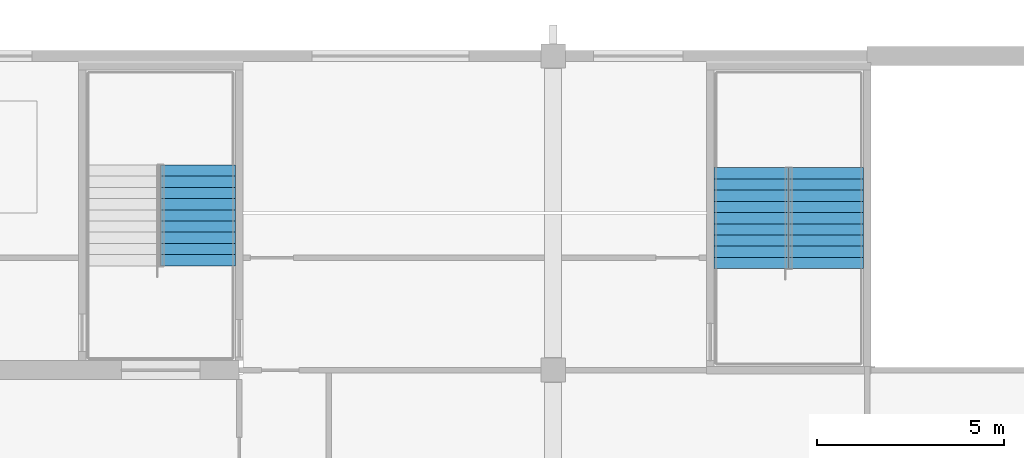
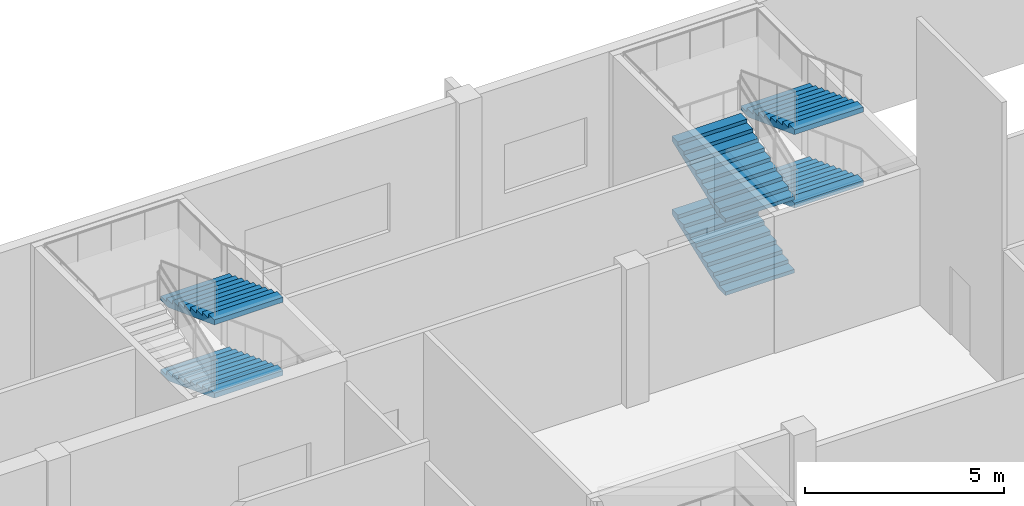
# One storey, part 43 of 64: 6 stair flights, 2 elements without a shape of their own.
"""IFC4 building model written with IfcOpenShell, lengths in metres."""

from ifc_helpers import new_model, si_unit, direction, frame, origin, place, context, subcontext, project, spatial, faceted_brep, material, type_object, element, aggregate, save


model = new_model("IFC4")

# Units and contexts
model_context = context("Model", 3, precision=1e-05, world=origin(), true_north=direction((0.0, 1.0)))
body_context = subcontext(model_context, "Body", "Model", "MODEL_VIEW")
ifc_project = project(units=[si_unit("LENGTHUNIT", "METRE"), si_unit("AREAUNIT", "SQUARE_METRE"), si_unit("VOLUMEUNIT", "CUBIC_METRE"), si_unit("PLANEANGLEUNIT", "RADIAN"), si_unit("MASSUNIT", "GRAM", prefix="KILO")], contexts=[model_context])

# Site, building, storey
site_placement = place(None, origin())
site = spatial("IfcSite", under=ifc_project, at=site_placement, CompositionType="ELEMENT")
building_placement = place(site_placement, origin())
building = spatial("IfcBuilding", under=site, at=building_placement, Name="Rulbaag Community and Learning Centre", CompositionType="ELEMENT")
storey_placement = place(building_placement, frame((0.0, 0.0, 5.39990234375)))
storey = spatial("IfcBuildingStorey", under=building, at=storey_placement, Name="L01", CompositionType="ELEMENT", Elevation=5.39990234375)

# Stair, stair flights
ifc_material = material(Name="Concrete M40", Category="concrete")
stair_type = type_object("IfcStairType", Name="ST-2000 STAIR 2000 WIDE", PredefinedType="HALF_TURN_STAIR", material=ifc_material)
stair_1_placement = place(storey_placement, origin())
stair_1 = element("IfcStair", 1, at=stair_1_placement, inside=storey, type_object=stair_type, Name="Stair ST-H0 L01", PredefinedType="HALF_TURN_STAIR")
stair_flight_type = type_object("IfcStairFlightType", Name="FL-2000 FLIGHT 2000 WIDE Concrete M40", PredefinedType="STRAIGHT", material=ifc_material)
stair_flight_1_placement = place(storey_placement, frame((24.10009765625, 47.487548828125, 1.125), z_axis=(0.0, 0.0, 1.0), x_axis=(0.0, -1.0, 0.0)))
stair_flight_1 = element("IfcStairFlight", 2, at=stair_flight_1_placement, type_object=stair_flight_type, Name="ST-H0 flight 2", NumberOfRisers=10, NumberOfTreads=9, PredefinedType="STRAIGHT", RiserHeight=0.1125, TreadLength=0.3, context=body_context, shape_type="Brep", body=[
    faceted_brep([(0.3984375, -1.0, 0.0), (2.699951171875, -1.0, 0.863037109375), (2.699951171875, -1.0, 1.012451171875), (2.39990234375, -1.0, 1.012451171875), (2.39990234375, -1.0, 0.89990234375), (2.10009765625, -1.0, 0.89990234375), (2.10009765625, -1.0, 0.78759765625), (1.800048828125, -1.0, 0.78759765625), (1.800048828125, -1.0, 0.675048828125), (1.5, -1.0, 0.675048828125), (1.5, -1.0, 0.5625), (1.199951171875, -1.0, 0.5625), (1.199951171875, -1.0, 0.449951171875), (0.89990234375, -1.0, 0.449951171875), (0.89990234375, -1.0, 0.33740234375), (0.60009765625, -1.0, 0.33740234375), (0.60009765625, -1.0, 0.22509765625), (0.300048828125, -1.0, 0.22509765625), (0.300048828125, -1.0, 0.112548828125), (0.0, -1.0, 0.112548828125), (0.0, -1.0, 0.0), (0.0, 1.0, 0.0), (0.0, 1.0, 0.112548828125), (0.300048828125, 1.0, 0.112548828125), (0.300048828125, 1.0, 0.22509765625), (0.60009765625, 1.0, 0.22509765625), (0.60009765625, 1.0, 0.33740234375), (0.89990234375, 1.0, 0.33740234375), (0.89990234375, 1.0, 0.449951171875), (1.199951171875, 1.0, 0.449951171875), (1.199951171875, 1.0, 0.5625), (1.5, 1.0, 0.5625), (1.5, 1.0, 0.675048828125), (1.800048828125, 1.0, 0.675048828125), (1.800048828125, 1.0, 0.78759765625), (2.10009765625, 1.0, 0.78759765625), (2.10009765625, 1.0, 0.89990234375), (2.39990234375, 1.0, 0.89990234375), (2.39990234375, 1.0, 1.012451171875), (2.699951171875, 1.0, 1.012451171875), (2.699951171875, 1.0, 0.863037109375), (0.3984375, 1.0, 0.0), (0.0, -0.333251953125, 0.112548828125), (0.0, -0.333251953125, 0.0), (0.0, 0.333251953125, 0.112548828125), (0.0, 0.333251953125, 0.0), (0.300048828125, -0.333251953125, 0.112548828125), (0.300048828125, 0.333251953125, 0.112548828125), (0.300048828125, -0.333251953125, 0.22509765625), (0.300048828125, 0.333251953125, 0.22509765625), (0.60009765625, -0.333251953125, 0.22509765625), (0.60009765625, 0.333251953125, 0.22509765625), (0.60009765625, -0.333251953125, 0.33740234375), (0.60009765625, 0.333251953125, 0.33740234375), (0.89990234375, -0.333251953125, 0.33740234375), (0.89990234375, 0.333251953125, 0.33740234375), (0.89990234375, -0.333251953125, 0.449951171875), (0.89990234375, 0.333251953125, 0.449951171875), (1.199951171875, -0.333251953125, 0.449951171875), (1.199951171875, 0.333251953125, 0.449951171875), (1.199951171875, -0.333251953125, 0.5625), (1.199951171875, 0.333251953125, 0.5625), (1.5, -0.333251953125, 0.5625), (1.5, 0.333251953125, 0.5625), (1.5, -0.333251953125, 0.675048828125), (1.5, 0.333251953125, 0.675048828125), (1.800048828125, -0.333251953125, 0.675048828125), (1.800048828125, 0.333251953125, 0.675048828125), (1.800048828125, -0.333251953125, 0.78759765625), (1.800048828125, 0.333251953125, 0.78759765625), (2.10009765625, -0.333251953125, 0.78759765625), (2.10009765625, 0.333251953125, 0.78759765625), (2.10009765625, -0.333251953125, 0.89990234375), (2.10009765625, 0.333251953125, 0.89990234375), (2.39990234375, -0.333251953125, 0.89990234375), (2.39990234375, 0.333251953125, 0.89990234375), (2.39990234375, -0.333251953125, 1.012451171875), (2.39990234375, 0.333251953125, 1.012451171875), (2.699951171875, -0.333251953125, 1.012451171875), (2.699951171875, 0.333251953125, 1.012451171875), (2.699951171875, -0.333251953125, 0.863037109375), (2.699951171875, 0.333251953125, 0.863037109375), (0.3984375, -0.333251953125, 0.0), (0.3984375, 0.333251953125, 0.0)], [[[0, 1, 2, 3, 4, 5, 6, 7, 8, 9, 10, 11, 12, 13, 14, 15, 16, 17, 18, 19, 20]], [[21, 22, 23, 24, 25, 26, 27, 28, 29, 30, 31, 32, 33, 34, 35, 36, 37, 38, 39, 40, 41]], [[20, 19, 42, 43]], [[43, 42, 44, 45]], [[45, 44, 22, 21]], [[19, 18, 46, 42]], [[42, 46, 47, 44]], [[44, 47, 23, 22]], [[18, 17, 48, 46]], [[46, 48, 49, 47]], [[47, 49, 24, 23]], [[17, 16, 50, 48]], [[48, 50, 51, 49]], [[49, 51, 25, 24]], [[16, 15, 52, 50]], [[50, 52, 53, 51]], [[51, 53, 26, 25]], [[15, 14, 54, 52]], [[52, 54, 55, 53]], [[53, 55, 27, 26]], [[14, 13, 56, 54]], [[54, 56, 57, 55]], [[55, 57, 28, 27]], [[13, 12, 58, 56]], [[56, 58, 59, 57]], [[57, 59, 29, 28]], [[12, 11, 60, 58]], [[58, 60, 61, 59]], [[59, 61, 30, 29]], [[11, 10, 62, 60]], [[60, 62, 63, 61]], [[61, 63, 31, 30]], [[10, 9, 64, 62]], [[62, 64, 65, 63]], [[63, 65, 32, 31]], [[9, 8, 66, 64]], [[64, 66, 67, 65]], [[65, 67, 33, 32]], [[8, 7, 68, 66]], [[66, 68, 69, 67]], [[67, 69, 34, 33]], [[7, 6, 70, 68]], [[68, 70, 71, 69]], [[69, 71, 35, 34]], [[6, 5, 72, 70]], [[70, 72, 73, 71]], [[71, 73, 36, 35]], [[5, 4, 74, 72]], [[72, 74, 75, 73]], [[73, 75, 37, 36]], [[4, 3, 76, 74]], [[74, 76, 77, 75]], [[75, 77, 38, 37]], [[3, 2, 78, 76]], [[76, 78, 79, 77]], [[77, 79, 39, 38]], [[2, 1, 80, 78]], [[78, 80, 81, 79]], [[79, 81, 40, 39]], [[1, 0, 82, 80]], [[80, 82, 83, 81]], [[81, 83, 41, 40]], [[0, 20, 43, 82]], [[82, 43, 45, 83]], [[83, 45, 21, 41]]]),
])
stair_flight_2_placement = place(storey_placement, frame((24.10009765625, 47.487548828125, 3.375), z_axis=(0.0, 0.0, 1.0), x_axis=(0.0, -1.0, 0.0)))
stair_flight_2 = element("IfcStairFlight", 3, at=stair_flight_2_placement, type_object=stair_flight_type, Name="ST-H0 flight 4", NumberOfRisers=10, NumberOfTreads=9, PredefinedType="STRAIGHT", RiserHeight=0.1125, TreadLength=0.3, context=body_context, shape_type="Brep", body=[
    faceted_brep([(0.3984375, -1.0, 0.0), (2.699951171875, -1.0, 0.863037109375), (2.699951171875, -1.0, 1.012451171875), (2.39990234375, -1.0, 1.012451171875), (2.39990234375, -1.0, 0.89990234375), (2.10009765625, -1.0, 0.89990234375), (2.10009765625, -1.0, 0.78759765625), (1.800048828125, -1.0, 0.78759765625), (1.800048828125, -1.0, 0.675048828125), (1.5, -1.0, 0.675048828125), (1.5, -1.0, 0.5625), (1.199951171875, -1.0, 0.5625), (1.199951171875, -1.0, 0.449951171875), (0.89990234375, -1.0, 0.449951171875), (0.89990234375, -1.0, 0.33740234375), (0.60009765625, -1.0, 0.33740234375), (0.60009765625, -1.0, 0.22509765625), (0.300048828125, -1.0, 0.22509765625), (0.300048828125, -1.0, 0.112548828125), (0.0, -1.0, 0.112548828125), (0.0, -1.0, 0.0), (0.0, 1.0, 0.0), (0.0, 1.0, 0.112548828125), (0.300048828125, 1.0, 0.112548828125), (0.300048828125, 1.0, 0.22509765625), (0.60009765625, 1.0, 0.22509765625), (0.60009765625, 1.0, 0.33740234375), (0.89990234375, 1.0, 0.33740234375), (0.89990234375, 1.0, 0.449951171875), (1.199951171875, 1.0, 0.449951171875), (1.199951171875, 1.0, 0.5625), (1.5, 1.0, 0.5625), (1.5, 1.0, 0.675048828125), (1.800048828125, 1.0, 0.675048828125), (1.800048828125, 1.0, 0.78759765625), (2.10009765625, 1.0, 0.78759765625), (2.10009765625, 1.0, 0.89990234375), (2.39990234375, 1.0, 0.89990234375), (2.39990234375, 1.0, 1.012451171875), (2.699951171875, 1.0, 1.012451171875), (2.699951171875, 1.0, 0.863037109375), (0.3984375, 1.0, 0.0), (0.0, -0.333251953125, 0.112548828125), (0.0, -0.333251953125, 0.0), (0.0, 0.333251953125, 0.112548828125), (0.0, 0.333251953125, 0.0), (0.300048828125, -0.333251953125, 0.112548828125), (0.300048828125, 0.333251953125, 0.112548828125), (0.300048828125, -0.333251953125, 0.22509765625), (0.300048828125, 0.333251953125, 0.22509765625), (0.60009765625, -0.333251953125, 0.22509765625), (0.60009765625, 0.333251953125, 0.22509765625), (0.60009765625, -0.333251953125, 0.33740234375), (0.60009765625, 0.333251953125, 0.33740234375), (0.89990234375, -0.333251953125, 0.33740234375), (0.89990234375, 0.333251953125, 0.33740234375), (0.89990234375, -0.333251953125, 0.449951171875), (0.89990234375, 0.333251953125, 0.449951171875), (1.199951171875, -0.333251953125, 0.449951171875), (1.199951171875, 0.333251953125, 0.449951171875), (1.199951171875, -0.333251953125, 0.5625), (1.199951171875, 0.333251953125, 0.5625), (1.5, -0.333251953125, 0.5625), (1.5, 0.333251953125, 0.5625), (1.5, -0.333251953125, 0.675048828125), (1.5, 0.333251953125, 0.675048828125), (1.800048828125, -0.333251953125, 0.675048828125), (1.800048828125, 0.333251953125, 0.675048828125), (1.800048828125, -0.333251953125, 0.78759765625), (1.800048828125, 0.333251953125, 0.78759765625), (2.10009765625, -0.333251953125, 0.78759765625), (2.10009765625, 0.333251953125, 0.78759765625), (2.10009765625, -0.333251953125, 0.89990234375), (2.10009765625, 0.333251953125, 0.89990234375), (2.39990234375, -0.333251953125, 0.89990234375), (2.39990234375, 0.333251953125, 0.89990234375), (2.39990234375, -0.333251953125, 1.012451171875), (2.39990234375, 0.333251953125, 1.012451171875), (2.699951171875, -0.333251953125, 1.012451171875), (2.699951171875, 0.333251953125, 1.012451171875), (2.699951171875, -0.333251953125, 0.863037109375), (2.699951171875, 0.333251953125, 0.863037109375), (0.3984375, -0.333251953125, 0.0), (0.3984375, 0.333251953125, 0.0)], [[[0, 1, 2, 3, 4, 5, 6, 7, 8, 9, 10, 11, 12, 13, 14, 15, 16, 17, 18, 19, 20]], [[21, 22, 23, 24, 25, 26, 27, 28, 29, 30, 31, 32, 33, 34, 35, 36, 37, 38, 39, 40, 41]], [[20, 19, 42, 43]], [[43, 42, 44, 45]], [[45, 44, 22, 21]], [[19, 18, 46, 42]], [[42, 46, 47, 44]], [[44, 47, 23, 22]], [[18, 17, 48, 46]], [[46, 48, 49, 47]], [[47, 49, 24, 23]], [[17, 16, 50, 48]], [[48, 50, 51, 49]], [[49, 51, 25, 24]], [[16, 15, 52, 50]], [[50, 52, 53, 51]], [[51, 53, 26, 25]], [[15, 14, 54, 52]], [[52, 54, 55, 53]], [[53, 55, 27, 26]], [[14, 13, 56, 54]], [[54, 56, 57, 55]], [[55, 57, 28, 27]], [[13, 12, 58, 56]], [[56, 58, 59, 57]], [[57, 59, 29, 28]], [[12, 11, 60, 58]], [[58, 60, 61, 59]], [[59, 61, 30, 29]], [[11, 10, 62, 60]], [[60, 62, 63, 61]], [[61, 63, 31, 30]], [[10, 9, 64, 62]], [[62, 64, 65, 63]], [[63, 65, 32, 31]], [[9, 8, 66, 64]], [[64, 66, 67, 65]], [[65, 67, 33, 32]], [[8, 7, 68, 66]], [[66, 68, 69, 67]], [[67, 69, 34, 33]], [[7, 6, 70, 68]], [[68, 70, 71, 69]], [[69, 71, 35, 34]], [[6, 5, 72, 70]], [[70, 72, 73, 71]], [[71, 73, 36, 35]], [[5, 4, 74, 72]], [[72, 74, 75, 73]], [[73, 75, 37, 36]], [[4, 3, 76, 74]], [[74, 76, 77, 75]], [[75, 77, 38, 37]], [[3, 2, 78, 76]], [[76, 78, 79, 77]], [[77, 79, 39, 38]], [[2, 1, 80, 78]], [[78, 80, 81, 79]], [[79, 81, 40, 39]], [[1, 0, 82, 80]], [[80, 82, 83, 81]], [[81, 83, 41, 40]], [[0, 20, 43, 82]], [[82, 43, 45, 83]], [[83, 45, 21, 41]]]),
])
aggregate(stair_1, [stair_flight_1, stair_flight_2])

stair_2_placement = place(storey_placement, origin())
stair_2 = element("IfcStair", 4, at=stair_2_placement, inside=storey, type_object=stair_type, Name="Stair ST-H5 L01", PredefinedType="HALF_TURN_STAIR")
stair_flight_3_placement = place(storey_placement, frame((38.89990234375, 44.71240234375, 0.0), z_axis=(0.0, 0.0, 1.0), x_axis=(0.0, 1.0, 0.0)))
stair_flight_3 = element("IfcStairFlight", 5, at=stair_flight_3_placement, type_object=stair_flight_type, Name="ST-H5 flight 1", NumberOfRisers=10, NumberOfTreads=9, PredefinedType="STRAIGHT", RiserHeight=0.1125, TreadLength=0.3, context=body_context, shape_type="Brep", body=[
    faceted_brep([(0.3984375, -1.0, 0.0), (2.699951171875, -1.0, 0.863037109375), (2.699951171875, -1.0, 1.012451171875), (2.39990234375, -1.0, 1.012451171875), (2.39990234375, -1.0, 0.89990234375), (2.10009765625, -1.0, 0.89990234375), (2.10009765625, -1.0, 0.78759765625), (1.800048828125, -1.0, 0.78759765625), (1.800048828125, -1.0, 0.675048828125), (1.5, -1.0, 0.675048828125), (1.5, -1.0, 0.5625), (1.199951171875, -1.0, 0.5625), (1.199951171875, -1.0, 0.449951171875), (0.89990234375, -1.0, 0.449951171875), (0.89990234375, -1.0, 0.33740234375), (0.60009765625, -1.0, 0.33740234375), (0.60009765625, -1.0, 0.22509765625), (0.300048828125, -1.0, 0.22509765625), (0.300048828125, -1.0, 0.112548828125), (0.0, -1.0, 0.112548828125), (0.0, -1.0, 0.0), (0.0, 1.0, 0.0), (0.0, 1.0, 0.112548828125), (0.300048828125, 1.0, 0.112548828125), (0.300048828125, 1.0, 0.22509765625), (0.60009765625, 1.0, 0.22509765625), (0.60009765625, 1.0, 0.33740234375), (0.89990234375, 1.0, 0.33740234375), (0.89990234375, 1.0, 0.449951171875), (1.199951171875, 1.0, 0.449951171875), (1.199951171875, 1.0, 0.5625), (1.5, 1.0, 0.5625), (1.5, 1.0, 0.675048828125), (1.800048828125, 1.0, 0.675048828125), (1.800048828125, 1.0, 0.78759765625), (2.10009765625, 1.0, 0.78759765625), (2.10009765625, 1.0, 0.89990234375), (2.39990234375, 1.0, 0.89990234375), (2.39990234375, 1.0, 1.012451171875), (2.699951171875, 1.0, 1.012451171875), (2.699951171875, 1.0, 0.863037109375), (0.3984375, 1.0, 0.0), (0.0, -0.333251953125, 0.112548828125), (0.0, -0.333251953125, 0.0), (0.0, 0.333251953125, 0.112548828125), (0.0, 0.333251953125, 0.0), (0.300048828125, -0.333251953125, 0.112548828125), (0.300048828125, 0.333251953125, 0.112548828125), (0.300048828125, -0.333251953125, 0.22509765625), (0.300048828125, 0.333251953125, 0.22509765625), (0.60009765625, -0.333251953125, 0.22509765625), (0.60009765625, 0.333251953125, 0.22509765625), (0.60009765625, -0.333251953125, 0.33740234375), (0.60009765625, 0.333251953125, 0.33740234375), (0.89990234375, -0.333251953125, 0.33740234375), (0.89990234375, 0.333251953125, 0.33740234375), (0.89990234375, -0.333251953125, 0.449951171875), (0.89990234375, 0.333251953125, 0.449951171875), (1.199951171875, -0.333251953125, 0.449951171875), (1.199951171875, 0.333251953125, 0.449951171875), (1.199951171875, -0.333251953125, 0.5625), (1.199951171875, 0.333251953125, 0.5625), (1.5, -0.333251953125, 0.5625), (1.5, 0.333251953125, 0.5625), (1.5, -0.333251953125, 0.675048828125), (1.5, 0.333251953125, 0.675048828125), (1.800048828125, -0.333251953125, 0.675048828125), (1.800048828125, 0.333251953125, 0.675048828125), (1.800048828125, -0.333251953125, 0.78759765625), (1.800048828125, 0.333251953125, 0.78759765625), (2.10009765625, -0.333251953125, 0.78759765625), (2.10009765625, 0.333251953125, 0.78759765625), (2.10009765625, -0.333251953125, 0.89990234375), (2.10009765625, 0.333251953125, 0.89990234375), (2.39990234375, -0.333251953125, 0.89990234375), (2.39990234375, 0.333251953125, 0.89990234375), (2.39990234375, -0.333251953125, 1.012451171875), (2.39990234375, 0.333251953125, 1.012451171875), (2.699951171875, -0.333251953125, 1.012451171875), (2.699951171875, 0.333251953125, 1.012451171875), (2.699951171875, -0.333251953125, 0.863037109375), (2.699951171875, 0.333251953125, 0.863037109375), (0.3984375, -0.333251953125, 0.0), (0.3984375, 0.333251953125, 0.0)], [[[0, 1, 2, 3, 4, 5, 6, 7, 8, 9, 10, 11, 12, 13, 14, 15, 16, 17, 18, 19, 20]], [[21, 22, 23, 24, 25, 26, 27, 28, 29, 30, 31, 32, 33, 34, 35, 36, 37, 38, 39, 40, 41]], [[20, 19, 42, 43]], [[43, 42, 44, 45]], [[45, 44, 22, 21]], [[19, 18, 46, 42]], [[42, 46, 47, 44]], [[44, 47, 23, 22]], [[18, 17, 48, 46]], [[46, 48, 49, 47]], [[47, 49, 24, 23]], [[17, 16, 50, 48]], [[48, 50, 51, 49]], [[49, 51, 25, 24]], [[16, 15, 52, 50]], [[50, 52, 53, 51]], [[51, 53, 26, 25]], [[15, 14, 54, 52]], [[52, 54, 55, 53]], [[53, 55, 27, 26]], [[14, 13, 56, 54]], [[54, 56, 57, 55]], [[55, 57, 28, 27]], [[13, 12, 58, 56]], [[56, 58, 59, 57]], [[57, 59, 29, 28]], [[12, 11, 60, 58]], [[58, 60, 61, 59]], [[59, 61, 30, 29]], [[11, 10, 62, 60]], [[60, 62, 63, 61]], [[61, 63, 31, 30]], [[10, 9, 64, 62]], [[62, 64, 65, 63]], [[63, 65, 32, 31]], [[9, 8, 66, 64]], [[64, 66, 67, 65]], [[65, 67, 33, 32]], [[8, 7, 68, 66]], [[66, 68, 69, 67]], [[67, 69, 34, 33]], [[7, 6, 70, 68]], [[68, 70, 71, 69]], [[69, 71, 35, 34]], [[6, 5, 72, 70]], [[70, 72, 73, 71]], [[71, 73, 36, 35]], [[5, 4, 74, 72]], [[72, 74, 75, 73]], [[73, 75, 37, 36]], [[4, 3, 76, 74]], [[74, 76, 77, 75]], [[75, 77, 38, 37]], [[3, 2, 78, 76]], [[76, 78, 79, 77]], [[77, 79, 39, 38]], [[2, 1, 80, 78]], [[78, 80, 81, 79]], [[79, 81, 40, 39]], [[1, 0, 82, 80]], [[80, 82, 83, 81]], [[81, 83, 41, 40]], [[0, 20, 43, 82]], [[82, 43, 45, 83]], [[83, 45, 21, 41]]]),
])
stair_flight_4_placement = place(storey_placement, frame((40.89990234375, 47.41259765625, 1.125), z_axis=(0.0, 0.0, 1.0), x_axis=(0.0, -1.0, 0.0)))
stair_flight_4 = element("IfcStairFlight", 6, at=stair_flight_4_placement, type_object=stair_flight_type, Name="ST-H5 flight 2", NumberOfRisers=10, NumberOfTreads=9, PredefinedType="STRAIGHT", RiserHeight=0.1125, TreadLength=0.3, context=body_context, shape_type="Brep", body=[
    faceted_brep([(0.3984375, -1.0, 0.0), (2.699951171875, -1.0, 0.863037109375), (2.699951171875, -1.0, 1.012451171875), (2.39990234375, -1.0, 1.012451171875), (2.39990234375, -1.0, 0.89990234375), (2.10009765625, -1.0, 0.89990234375), (2.10009765625, -1.0, 0.78759765625), (1.800048828125, -1.0, 0.78759765625), (1.800048828125, -1.0, 0.675048828125), (1.5, -1.0, 0.675048828125), (1.5, -1.0, 0.5625), (1.199951171875, -1.0, 0.5625), (1.199951171875, -1.0, 0.449951171875), (0.89990234375, -1.0, 0.449951171875), (0.89990234375, -1.0, 0.33740234375), (0.60009765625, -1.0, 0.33740234375), (0.60009765625, -1.0, 0.22509765625), (0.300048828125, -1.0, 0.22509765625), (0.300048828125, -1.0, 0.112548828125), (0.0, -1.0, 0.112548828125), (0.0, -1.0, 0.0), (0.0, 1.0, 0.0), (0.0, 1.0, 0.112548828125), (0.300048828125, 1.0, 0.112548828125), (0.300048828125, 1.0, 0.22509765625), (0.60009765625, 1.0, 0.22509765625), (0.60009765625, 1.0, 0.33740234375), (0.89990234375, 1.0, 0.33740234375), (0.89990234375, 1.0, 0.449951171875), (1.199951171875, 1.0, 0.449951171875), (1.199951171875, 1.0, 0.5625), (1.5, 1.0, 0.5625), (1.5, 1.0, 0.675048828125), (1.800048828125, 1.0, 0.675048828125), (1.800048828125, 1.0, 0.78759765625), (2.10009765625, 1.0, 0.78759765625), (2.10009765625, 1.0, 0.89990234375), (2.39990234375, 1.0, 0.89990234375), (2.39990234375, 1.0, 1.012451171875), (2.699951171875, 1.0, 1.012451171875), (2.699951171875, 1.0, 0.863037109375), (0.3984375, 1.0, 0.0), (0.0, -0.333251953125, 0.112548828125), (0.0, -0.333251953125, 0.0), (0.0, 0.333251953125, 0.112548828125), (0.0, 0.333251953125, 0.0), (0.300048828125, -0.333251953125, 0.112548828125), (0.300048828125, 0.333251953125, 0.112548828125), (0.300048828125, -0.333251953125, 0.22509765625), (0.300048828125, 0.333251953125, 0.22509765625), (0.60009765625, -0.333251953125, 0.22509765625), (0.60009765625, 0.333251953125, 0.22509765625), (0.60009765625, -0.333251953125, 0.33740234375), (0.60009765625, 0.333251953125, 0.33740234375), (0.89990234375, -0.333251953125, 0.33740234375), (0.89990234375, 0.333251953125, 0.33740234375), (0.89990234375, -0.333251953125, 0.449951171875), (0.89990234375, 0.333251953125, 0.449951171875), (1.199951171875, -0.333251953125, 0.449951171875), (1.199951171875, 0.333251953125, 0.449951171875), (1.199951171875, -0.333251953125, 0.5625), (1.199951171875, 0.333251953125, 0.5625), (1.5, -0.333251953125, 0.5625), (1.5, 0.333251953125, 0.5625), (1.5, -0.333251953125, 0.675048828125), (1.5, 0.333251953125, 0.675048828125), (1.800048828125, -0.333251953125, 0.675048828125), (1.800048828125, 0.333251953125, 0.675048828125), (1.800048828125, -0.333251953125, 0.78759765625), (1.800048828125, 0.333251953125, 0.78759765625), (2.10009765625, -0.333251953125, 0.78759765625), (2.10009765625, 0.333251953125, 0.78759765625), (2.10009765625, -0.333251953125, 0.89990234375), (2.10009765625, 0.333251953125, 0.89990234375), (2.39990234375, -0.333251953125, 0.89990234375), (2.39990234375, 0.333251953125, 0.89990234375), (2.39990234375, -0.333251953125, 1.012451171875), (2.39990234375, 0.333251953125, 1.012451171875), (2.699951171875, -0.333251953125, 1.012451171875), (2.699951171875, 0.333251953125, 1.012451171875), (2.699951171875, -0.333251953125, 0.863037109375), (2.699951171875, 0.333251953125, 0.863037109375), (0.3984375, -0.333251953125, 0.0), (0.3984375, 0.333251953125, 0.0)], [[[0, 1, 2, 3, 4, 5, 6, 7, 8, 9, 10, 11, 12, 13, 14, 15, 16, 17, 18, 19, 20]], [[21, 22, 23, 24, 25, 26, 27, 28, 29, 30, 31, 32, 33, 34, 35, 36, 37, 38, 39, 40, 41]], [[20, 19, 42, 43]], [[43, 42, 44, 45]], [[45, 44, 22, 21]], [[19, 18, 46, 42]], [[42, 46, 47, 44]], [[44, 47, 23, 22]], [[18, 17, 48, 46]], [[46, 48, 49, 47]], [[47, 49, 24, 23]], [[17, 16, 50, 48]], [[48, 50, 51, 49]], [[49, 51, 25, 24]], [[16, 15, 52, 50]], [[50, 52, 53, 51]], [[51, 53, 26, 25]], [[15, 14, 54, 52]], [[52, 54, 55, 53]], [[53, 55, 27, 26]], [[14, 13, 56, 54]], [[54, 56, 57, 55]], [[55, 57, 28, 27]], [[13, 12, 58, 56]], [[56, 58, 59, 57]], [[57, 59, 29, 28]], [[12, 11, 60, 58]], [[58, 60, 61, 59]], [[59, 61, 30, 29]], [[11, 10, 62, 60]], [[60, 62, 63, 61]], [[61, 63, 31, 30]], [[10, 9, 64, 62]], [[62, 64, 65, 63]], [[63, 65, 32, 31]], [[9, 8, 66, 64]], [[64, 66, 67, 65]], [[65, 67, 33, 32]], [[8, 7, 68, 66]], [[66, 68, 69, 67]], [[67, 69, 34, 33]], [[7, 6, 70, 68]], [[68, 70, 71, 69]], [[69, 71, 35, 34]], [[6, 5, 72, 70]], [[70, 72, 73, 71]], [[71, 73, 36, 35]], [[5, 4, 74, 72]], [[72, 74, 75, 73]], [[73, 75, 37, 36]], [[4, 3, 76, 74]], [[74, 76, 77, 75]], [[75, 77, 38, 37]], [[3, 2, 78, 76]], [[76, 78, 79, 77]], [[77, 79, 39, 38]], [[2, 1, 80, 78]], [[78, 80, 81, 79]], [[79, 81, 40, 39]], [[1, 0, 82, 80]], [[80, 82, 83, 81]], [[81, 83, 41, 40]], [[0, 20, 43, 82]], [[82, 43, 45, 83]], [[83, 45, 21, 41]]]),
])
stair_flight_5_placement = place(storey_placement, frame((38.89990234375, 44.71240234375, 2.25), z_axis=(0.0, 0.0, 1.0), x_axis=(0.0, 1.0, 0.0)))
stair_flight_5 = element("IfcStairFlight", 7, at=stair_flight_5_placement, type_object=stair_flight_type, Name="ST-H5 flight 3", NumberOfRisers=10, NumberOfTreads=9, PredefinedType="STRAIGHT", RiserHeight=0.1125, TreadLength=0.3, context=body_context, shape_type="Brep", body=[
    faceted_brep([(0.3984375, -1.0, 0.0), (2.699951171875, -1.0, 0.863037109375), (2.699951171875, -1.0, 1.012451171875), (2.39990234375, -1.0, 1.012451171875), (2.39990234375, -1.0, 0.89990234375), (2.10009765625, -1.0, 0.89990234375), (2.10009765625, -1.0, 0.78759765625), (1.800048828125, -1.0, 0.78759765625), (1.800048828125, -1.0, 0.675048828125), (1.5, -1.0, 0.675048828125), (1.5, -1.0, 0.5625), (1.199951171875, -1.0, 0.5625), (1.199951171875, -1.0, 0.449951171875), (0.89990234375, -1.0, 0.449951171875), (0.89990234375, -1.0, 0.33740234375), (0.60009765625, -1.0, 0.33740234375), (0.60009765625, -1.0, 0.22509765625), (0.300048828125, -1.0, 0.22509765625), (0.300048828125, -1.0, 0.112548828125), (0.0, -1.0, 0.112548828125), (0.0, -1.0, 0.0), (0.0, 1.0, 0.0), (0.0, 1.0, 0.112548828125), (0.300048828125, 1.0, 0.112548828125), (0.300048828125, 1.0, 0.22509765625), (0.60009765625, 1.0, 0.22509765625), (0.60009765625, 1.0, 0.33740234375), (0.89990234375, 1.0, 0.33740234375), (0.89990234375, 1.0, 0.449951171875), (1.199951171875, 1.0, 0.449951171875), (1.199951171875, 1.0, 0.5625), (1.5, 1.0, 0.5625), (1.5, 1.0, 0.675048828125), (1.800048828125, 1.0, 0.675048828125), (1.800048828125, 1.0, 0.78759765625), (2.10009765625, 1.0, 0.78759765625), (2.10009765625, 1.0, 0.89990234375), (2.39990234375, 1.0, 0.89990234375), (2.39990234375, 1.0, 1.012451171875), (2.699951171875, 1.0, 1.012451171875), (2.699951171875, 1.0, 0.863037109375), (0.3984375, 1.0, 0.0), (0.0, -0.333251953125, 0.112548828125), (0.0, -0.333251953125, 0.0), (0.0, 0.333251953125, 0.112548828125), (0.0, 0.333251953125, 0.0), (0.300048828125, -0.333251953125, 0.112548828125), (0.300048828125, 0.333251953125, 0.112548828125), (0.300048828125, -0.333251953125, 0.22509765625), (0.300048828125, 0.333251953125, 0.22509765625), (0.60009765625, -0.333251953125, 0.22509765625), (0.60009765625, 0.333251953125, 0.22509765625), (0.60009765625, -0.333251953125, 0.33740234375), (0.60009765625, 0.333251953125, 0.33740234375), (0.89990234375, -0.333251953125, 0.33740234375), (0.89990234375, 0.333251953125, 0.33740234375), (0.89990234375, -0.333251953125, 0.449951171875), (0.89990234375, 0.333251953125, 0.449951171875), (1.199951171875, -0.333251953125, 0.449951171875), (1.199951171875, 0.333251953125, 0.449951171875), (1.199951171875, -0.333251953125, 0.5625), (1.199951171875, 0.333251953125, 0.5625), (1.5, -0.333251953125, 0.5625), (1.5, 0.333251953125, 0.5625), (1.5, -0.333251953125, 0.675048828125), (1.5, 0.333251953125, 0.675048828125), (1.800048828125, -0.333251953125, 0.675048828125), (1.800048828125, 0.333251953125, 0.675048828125), (1.800048828125, -0.333251953125, 0.78759765625), (1.800048828125, 0.333251953125, 0.78759765625), (2.10009765625, -0.333251953125, 0.78759765625), (2.10009765625, 0.333251953125, 0.78759765625), (2.10009765625, -0.333251953125, 0.89990234375), (2.10009765625, 0.333251953125, 0.89990234375), (2.39990234375, -0.333251953125, 0.89990234375), (2.39990234375, 0.333251953125, 0.89990234375), (2.39990234375, -0.333251953125, 1.012451171875), (2.39990234375, 0.333251953125, 1.012451171875), (2.699951171875, -0.333251953125, 1.012451171875), (2.699951171875, 0.333251953125, 1.012451171875), (2.699951171875, -0.333251953125, 0.863037109375), (2.699951171875, 0.333251953125, 0.863037109375), (0.3984375, -0.333251953125, 0.0), (0.3984375, 0.333251953125, 0.0)], [[[0, 1, 2, 3, 4, 5, 6, 7, 8, 9, 10, 11, 12, 13, 14, 15, 16, 17, 18, 19, 20]], [[21, 22, 23, 24, 25, 26, 27, 28, 29, 30, 31, 32, 33, 34, 35, 36, 37, 38, 39, 40, 41]], [[20, 19, 42, 43]], [[43, 42, 44, 45]], [[45, 44, 22, 21]], [[19, 18, 46, 42]], [[42, 46, 47, 44]], [[44, 47, 23, 22]], [[18, 17, 48, 46]], [[46, 48, 49, 47]], [[47, 49, 24, 23]], [[17, 16, 50, 48]], [[48, 50, 51, 49]], [[49, 51, 25, 24]], [[16, 15, 52, 50]], [[50, 52, 53, 51]], [[51, 53, 26, 25]], [[15, 14, 54, 52]], [[52, 54, 55, 53]], [[53, 55, 27, 26]], [[14, 13, 56, 54]], [[54, 56, 57, 55]], [[55, 57, 28, 27]], [[13, 12, 58, 56]], [[56, 58, 59, 57]], [[57, 59, 29, 28]], [[12, 11, 60, 58]], [[58, 60, 61, 59]], [[59, 61, 30, 29]], [[11, 10, 62, 60]], [[60, 62, 63, 61]], [[61, 63, 31, 30]], [[10, 9, 64, 62]], [[62, 64, 65, 63]], [[63, 65, 32, 31]], [[9, 8, 66, 64]], [[64, 66, 67, 65]], [[65, 67, 33, 32]], [[8, 7, 68, 66]], [[66, 68, 69, 67]], [[67, 69, 34, 33]], [[7, 6, 70, 68]], [[68, 70, 71, 69]], [[69, 71, 35, 34]], [[6, 5, 72, 70]], [[70, 72, 73, 71]], [[71, 73, 36, 35]], [[5, 4, 74, 72]], [[72, 74, 75, 73]], [[73, 75, 37, 36]], [[4, 3, 76, 74]], [[74, 76, 77, 75]], [[75, 77, 38, 37]], [[3, 2, 78, 76]], [[76, 78, 79, 77]], [[77, 79, 39, 38]], [[2, 1, 80, 78]], [[78, 80, 81, 79]], [[79, 81, 40, 39]], [[1, 0, 82, 80]], [[80, 82, 83, 81]], [[81, 83, 41, 40]], [[0, 20, 43, 82]], [[82, 43, 45, 83]], [[83, 45, 21, 41]]]),
])
stair_flight_6_placement = place(storey_placement, frame((40.89990234375, 47.41259765625, 3.375), z_axis=(0.0, 0.0, 1.0), x_axis=(0.0, -1.0, 0.0)))
stair_flight_6 = element("IfcStairFlight", 8, at=stair_flight_6_placement, type_object=stair_flight_type, Name="ST-H5 flight 4", NumberOfRisers=10, NumberOfTreads=9, PredefinedType="STRAIGHT", RiserHeight=0.1125, TreadLength=0.3, context=body_context, shape_type="Brep", body=[
    faceted_brep([(0.3984375, -1.0, 0.0), (2.699951171875, -1.0, 0.863037109375), (2.699951171875, -1.0, 1.012451171875), (2.39990234375, -1.0, 1.012451171875), (2.39990234375, -1.0, 0.89990234375), (2.10009765625, -1.0, 0.89990234375), (2.10009765625, -1.0, 0.78759765625), (1.800048828125, -1.0, 0.78759765625), (1.800048828125, -1.0, 0.675048828125), (1.5, -1.0, 0.675048828125), (1.5, -1.0, 0.5625), (1.199951171875, -1.0, 0.5625), (1.199951171875, -1.0, 0.449951171875), (0.89990234375, -1.0, 0.449951171875), (0.89990234375, -1.0, 0.33740234375), (0.60009765625, -1.0, 0.33740234375), (0.60009765625, -1.0, 0.22509765625), (0.300048828125, -1.0, 0.22509765625), (0.300048828125, -1.0, 0.112548828125), (0.0, -1.0, 0.112548828125), (0.0, -1.0, 0.0), (0.0, 1.0, 0.0), (0.0, 1.0, 0.112548828125), (0.300048828125, 1.0, 0.112548828125), (0.300048828125, 1.0, 0.22509765625), (0.60009765625, 1.0, 0.22509765625), (0.60009765625, 1.0, 0.33740234375), (0.89990234375, 1.0, 0.33740234375), (0.89990234375, 1.0, 0.449951171875), (1.199951171875, 1.0, 0.449951171875), (1.199951171875, 1.0, 0.5625), (1.5, 1.0, 0.5625), (1.5, 1.0, 0.675048828125), (1.800048828125, 1.0, 0.675048828125), (1.800048828125, 1.0, 0.78759765625), (2.10009765625, 1.0, 0.78759765625), (2.10009765625, 1.0, 0.89990234375), (2.39990234375, 1.0, 0.89990234375), (2.39990234375, 1.0, 1.012451171875), (2.699951171875, 1.0, 1.012451171875), (2.699951171875, 1.0, 0.863037109375), (0.3984375, 1.0, 0.0), (0.0, -0.333251953125, 0.112548828125), (0.0, -0.333251953125, 0.0), (0.0, 0.333251953125, 0.112548828125), (0.0, 0.333251953125, 0.0), (0.300048828125, -0.333251953125, 0.112548828125), (0.300048828125, 0.333251953125, 0.112548828125), (0.300048828125, -0.333251953125, 0.22509765625), (0.300048828125, 0.333251953125, 0.22509765625), (0.60009765625, -0.333251953125, 0.22509765625), (0.60009765625, 0.333251953125, 0.22509765625), (0.60009765625, -0.333251953125, 0.33740234375), (0.60009765625, 0.333251953125, 0.33740234375), (0.89990234375, -0.333251953125, 0.33740234375), (0.89990234375, 0.333251953125, 0.33740234375), (0.89990234375, -0.333251953125, 0.449951171875), (0.89990234375, 0.333251953125, 0.449951171875), (1.199951171875, -0.333251953125, 0.449951171875), (1.199951171875, 0.333251953125, 0.449951171875), (1.199951171875, -0.333251953125, 0.5625), (1.199951171875, 0.333251953125, 0.5625), (1.5, -0.333251953125, 0.5625), (1.5, 0.333251953125, 0.5625), (1.5, -0.333251953125, 0.675048828125), (1.5, 0.333251953125, 0.675048828125), (1.800048828125, -0.333251953125, 0.675048828125), (1.800048828125, 0.333251953125, 0.675048828125), (1.800048828125, -0.333251953125, 0.78759765625), (1.800048828125, 0.333251953125, 0.78759765625), (2.10009765625, -0.333251953125, 0.78759765625), (2.10009765625, 0.333251953125, 0.78759765625), (2.10009765625, -0.333251953125, 0.89990234375), (2.10009765625, 0.333251953125, 0.89990234375), (2.39990234375, -0.333251953125, 0.89990234375), (2.39990234375, 0.333251953125, 0.89990234375), (2.39990234375, -0.333251953125, 1.012451171875), (2.39990234375, 0.333251953125, 1.012451171875), (2.699951171875, -0.333251953125, 1.012451171875), (2.699951171875, 0.333251953125, 1.012451171875), (2.699951171875, -0.333251953125, 0.863037109375), (2.699951171875, 0.333251953125, 0.863037109375), (0.3984375, -0.333251953125, 0.0), (0.3984375, 0.333251953125, 0.0)], [[[0, 1, 2, 3, 4, 5, 6, 7, 8, 9, 10, 11, 12, 13, 14, 15, 16, 17, 18, 19, 20]], [[21, 22, 23, 24, 25, 26, 27, 28, 29, 30, 31, 32, 33, 34, 35, 36, 37, 38, 39, 40, 41]], [[20, 19, 42, 43]], [[43, 42, 44, 45]], [[45, 44, 22, 21]], [[19, 18, 46, 42]], [[42, 46, 47, 44]], [[44, 47, 23, 22]], [[18, 17, 48, 46]], [[46, 48, 49, 47]], [[47, 49, 24, 23]], [[17, 16, 50, 48]], [[48, 50, 51, 49]], [[49, 51, 25, 24]], [[16, 15, 52, 50]], [[50, 52, 53, 51]], [[51, 53, 26, 25]], [[15, 14, 54, 52]], [[52, 54, 55, 53]], [[53, 55, 27, 26]], [[14, 13, 56, 54]], [[54, 56, 57, 55]], [[55, 57, 28, 27]], [[13, 12, 58, 56]], [[56, 58, 59, 57]], [[57, 59, 29, 28]], [[12, 11, 60, 58]], [[58, 60, 61, 59]], [[59, 61, 30, 29]], [[11, 10, 62, 60]], [[60, 62, 63, 61]], [[61, 63, 31, 30]], [[10, 9, 64, 62]], [[62, 64, 65, 63]], [[63, 65, 32, 31]], [[9, 8, 66, 64]], [[64, 66, 67, 65]], [[65, 67, 33, 32]], [[8, 7, 68, 66]], [[66, 68, 69, 67]], [[67, 69, 34, 33]], [[7, 6, 70, 68]], [[68, 70, 71, 69]], [[69, 71, 35, 34]], [[6, 5, 72, 70]], [[70, 72, 73, 71]], [[71, 73, 36, 35]], [[5, 4, 74, 72]], [[72, 74, 75, 73]], [[73, 75, 37, 36]], [[4, 3, 76, 74]], [[74, 76, 77, 75]], [[75, 77, 38, 37]], [[3, 2, 78, 76]], [[76, 78, 79, 77]], [[77, 79, 39, 38]], [[2, 1, 80, 78]], [[78, 80, 81, 79]], [[79, 81, 40, 39]], [[1, 0, 82, 80]], [[80, 82, 83, 81]], [[81, 83, 41, 40]], [[0, 20, 43, 82]], [[82, 43, 45, 83]], [[83, 45, 21, 41]]]),
])
aggregate(stair_2, [stair_flight_3, stair_flight_4, stair_flight_5, stair_flight_6])

save(model, "model.ifc")
